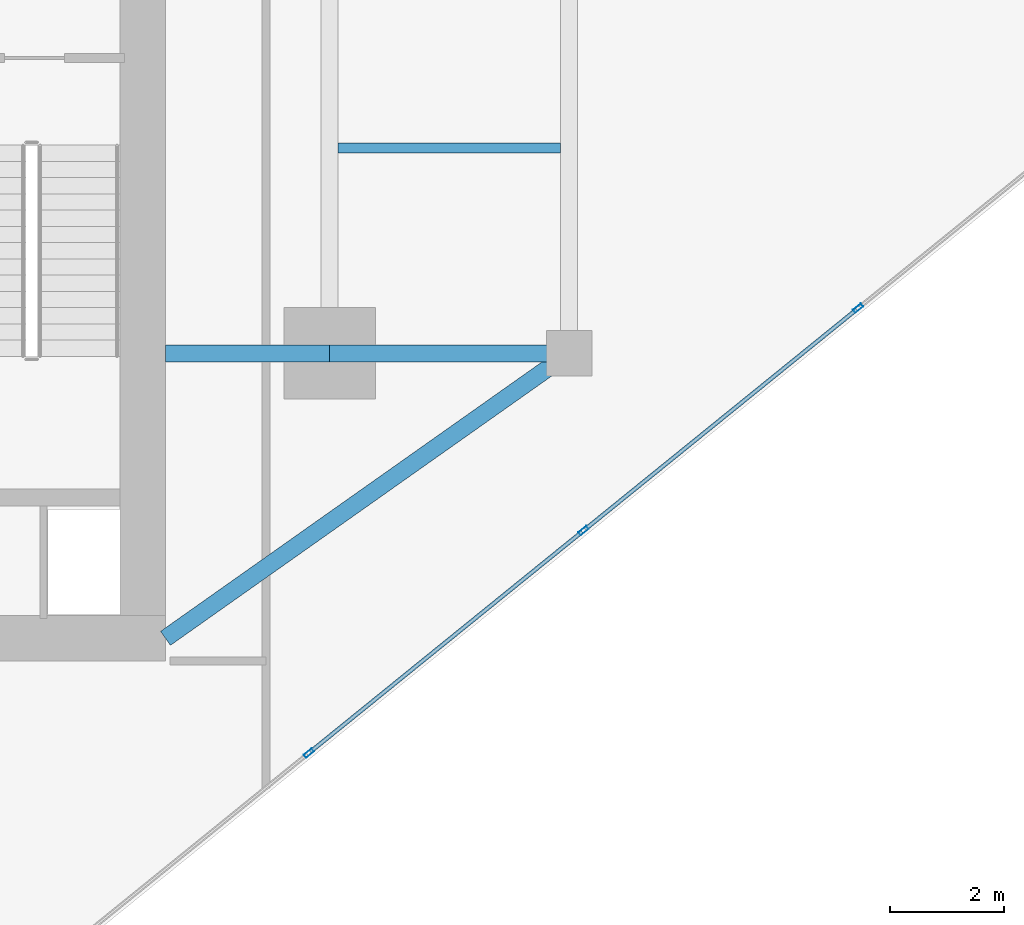
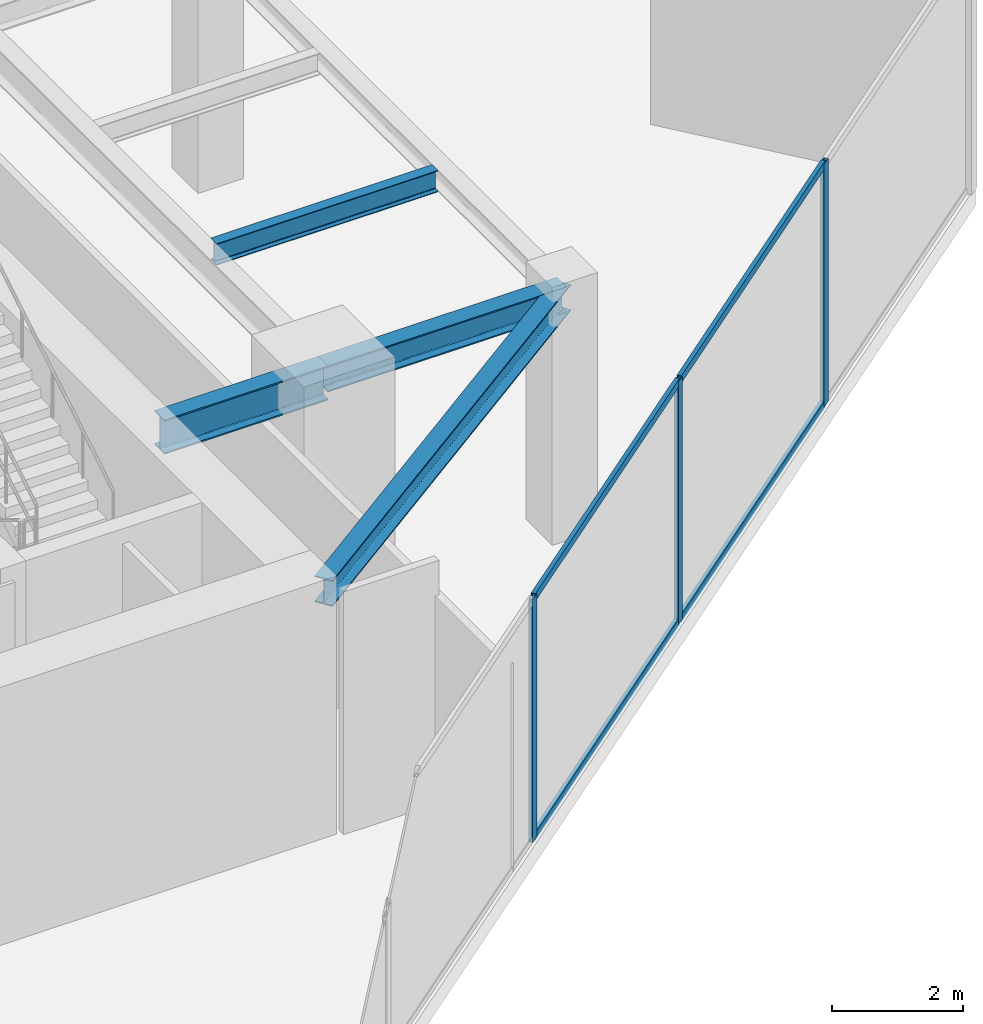
# One storey, part 8 of 22: 7 members, 4 beams, 1 element without a shape of its own.
"""IFC4 building model written with IfcOpenShell, lengths in metres."""

from ifc_helpers import new_model, si_unit, direction, frame, origin, origin_2d, place, context, subcontext, project, spatial, hollow_rectangle, i_section, extrude, source, transform, mapped, material, material_profile, profile_set, type_object, type_shapes, element, aggregate, save


model = new_model("IFC4")

# Units and contexts
model_context = context("Model", 3, precision=1e-05, world=origin(), true_north=direction((0.0, 1.0)))
body_context = subcontext(model_context, "Body", "Model", "MODEL_VIEW")
ifc_project = project(units=[si_unit("LENGTHUNIT", "METRE"), si_unit("AREAUNIT", "SQUARE_METRE"), si_unit("VOLUMEUNIT", "CUBIC_METRE"), si_unit("PLANEANGLEUNIT", "RADIAN"), si_unit("MASSUNIT", "GRAM", prefix="KILO")], contexts=[model_context])

# Site, building, storey
site_placement = place(None, origin())
site = spatial("IfcSite", under=ifc_project, at=site_placement, CompositionType="ELEMENT")
building_placement = place(site_placement, origin())
building = spatial("IfcBuilding", under=site, at=building_placement, Name="Krantzveldt Concourse Tower", CompositionType="ELEMENT")
storey_placement = place(building_placement, frame((0.0, 0.0, 262.60009765625)))
storey = spatial("IfcBuildingStorey", under=building, at=storey_placement, Name="L64", CompositionType="ELEMENT", Elevation=262.60009765625)

# Beams
ifc_material_1 = material(Name="Steel S355JR", Category="steel")
ifc_material_profile_1 = material_profile(ifc_material_1, i_section(OverallWidth=0.300048828125, OverallDepth=0.639892578125, WebThickness=0.013427734375, FlangeThickness=0.02587890625, FilletRadius=0.027099609375, at=origin_2d()), Name="Steel S355JR", Category="steel")
ifc_profile_set_1 = profile_set([ifc_material_profile_1], Name="Steel S355JR - HEA 650")
beam_type_1 = type_object("IfcBeamType", Name="BM-B-HEA650", PredefinedType="BEAM", material=ifc_profile_set_1)
shared_shape_1 = source(origin(), body_context, "Body", "SweptSolid", [
    extrude(i_section(OverallWidth=0.300048828125, OverallDepth=0.639892578125, WebThickness=0.013427734375, FlangeThickness=0.02587890625, FilletRadius=0.027099609375, at=origin_2d()), origin(), (0.0, 0.0, 1.0), 2.880126953125),
])
type_shapes(beam_type_1, [shared_shape_1])
beam_1_placement = place(storey_placement, frame((43.919921875, 15.89990234375, 4.199951171875), z_axis=(1.0, 0.0, 0.0), x_axis=(0.0, 1.0, 0.0)))
element("IfcBeam", 1, at=beam_1_placement, inside=storey, type_object=beam_type_1, Name="L64 Tower Girder BG-CE1", PredefinedType="BEAM", context=body_context, shape_type="MappedRepresentation", body=[
    mapped(shared_shape_1, transform((0.0, 0.0, 0.0), x_axis=(1.0, 0.0, 0.0), y_axis=(0.0, 1.0, 0.0), z_axis=(0.0, 0.0, 1.0), scale=1.0)),
])
ifc_material_profile_2 = material_profile(ifc_material_1, i_section(OverallWidth=0.300048828125, OverallDepth=0.489990234375, WebThickness=0.011962890625, FlangeThickness=0.02294921875, FilletRadius=0.027099609375, at=origin_2d()), Name="Steel S355JR", Category="steel")
ifc_profile_set_2 = profile_set([ifc_material_profile_2], Name="Steel S355JR - HEA 500")
beam_type_2 = type_object("IfcBeamType", Name="BM-B-HEA500", PredefinedType="BEAM", material=ifc_profile_set_2)
shared_shape_2 = source(origin(), body_context, "Body", "SweptSolid", [
    extrude(i_section(OverallWidth=0.300048828125, OverallDepth=0.489990234375, WebThickness=0.011962890625, FlangeThickness=0.02294921875, FilletRadius=0.027099609375, at=origin_2d()), origin(), (0.0, 0.0, 1.0), 4.199951171875),
])
beam_2_placement = place(storey_placement, frame((46.800048828125, 15.89990234375, 4.27490234375), z_axis=(1.0, 0.0, 0.0), x_axis=(0.0, 1.0, 0.0)))
element("IfcBeam", 2, at=beam_2_placement, inside=storey, type_object=beam_type_2, Name="L64 Tower Girder BR-RR1", PredefinedType="BEAM", context=body_context, shape_type="MappedRepresentation", body=[
    mapped(shared_shape_2, transform((0.0, 0.0, 0.0), x_axis=(1.0, 0.0, 0.0), y_axis=(0.0, 1.0, 0.0), z_axis=(0.0, 0.0, 1.0), scale=1.0)),
])
shared_shape_3 = source(origin(), body_context, "Body", "SweptSolid", [
    extrude(i_section(OverallWidth=0.300048828125, OverallDepth=0.489990234375, WebThickness=0.011962890625, FlangeThickness=0.02294921875, FilletRadius=0.027099609375, at=origin_2d()), origin(), (0.0, 0.0, 1.0), 8.667724609375),
])
type_shapes(beam_type_2, [shared_shape_2, shared_shape_3])
beam_3_placement = place(storey_placement, frame((51.0, 15.89990234375, 4.27490234375), z_axis=(-0.81684294656, -0.576860122261, 0.0), x_axis=(0.576860122261, -0.81684294656, 0.0)))
element("IfcBeam", 3, at=beam_3_placement, inside=storey, type_object=beam_type_2, Name="L64 Tower Girder BR-CSE", PredefinedType="BEAM", context=body_context, shape_type="MappedRepresentation", body=[
    mapped(shared_shape_3, transform((0.0, 0.0, 0.0), x_axis=(1.0, 0.0, 0.0), y_axis=(0.0, 1.0, 0.0), z_axis=(0.0, 0.0, 1.0), scale=1.0)),
])
ifc_material_profile_3 = material_profile(ifc_material_1, i_section(OverallWidth=0.179931640625, OverallDepth=0.39990234375, WebThickness=0.008544921875, FlangeThickness=0.013427734375, FilletRadius=0.02099609375, at=origin_2d()), Name="Steel S355JR", Category="steel")
ifc_profile_set_3 = profile_set([ifc_material_profile_3], Name="Steel S355JR - IPE 400")
beam_type_3 = type_object("IfcBeamType", Name="BM-J-IPE400", PredefinedType="JOIST", material=ifc_profile_set_3)
shared_shape_4 = source(origin(), body_context, "Body", "SweptSolid", [
    extrude(i_section(OverallWidth=0.179931640625, OverallDepth=0.39990234375, WebThickness=0.008544921875, FlangeThickness=0.013427734375, FilletRadius=0.02099609375, at=origin_2d()), origin(), (0.0, 0.0, 1.0), 3.900146484375),
])
type_shapes(beam_type_3, [shared_shape_4])
beam_4_placement = place(storey_placement, frame((46.949951171875, 19.5, 4.31982421875), z_axis=(1.0, 0.0, 0.0), x_axis=(0.0, 1.0, 0.0)))
element("IfcBeam", 4, at=beam_4_placement, inside=storey, type_object=beam_type_3, Name="L64 Secondary Floor Joist JE-1", PredefinedType="JOIST", context=body_context, shape_type="MappedRepresentation", body=[
    mapped(shared_shape_4, transform((0.0, 0.0, 0.0), x_axis=(1.0, 0.0, 0.0), y_axis=(0.0, 1.0, 0.0), z_axis=(0.0, 0.0, 1.0), scale=1.0)),
])

# Curtain wall, members
ifc_material_2 = material(Name="Anodised aluminium 6063-T6", Category="aluminium")
curtain_wall_type = type_object("IfcCurtainWallType", Name="CW5", PredefinedType="USERDEFINED", material=ifc_material_2)
curtain_wall_placement = place(storey_placement, origin())
curtain_wall = element("IfcCurtainWall", 5, at=curtain_wall_placement, inside=storey, type_object=curtain_wall_type, Name="CW-L64-F07", ObjectType="UNITISED CURTAIN WALL", PredefinedType="USERDEFINED")
ifc_material_profile_4 = material_profile(ifc_material_2, hollow_rectangle(XDim=0.070068359375, YDim=0.179931640625, WallThickness=0.0048828125, at=origin_2d()), Name="Anodised aluminium 6063-T6", Category="aluminium")
ifc_profile_set_4 = profile_set([ifc_material_profile_4], Name="Anodised aluminium 6063-T6 - ALU-MULL 180x70x5")
member_type_1 = type_object("IfcMemberType", Name="CW-MUL-180", PredefinedType="MULLION", material=ifc_profile_set_4)
shared_shape_5 = source(origin(), body_context, "Body", "SweptSolid", [
    extrude(hollow_rectangle(XDim=0.070068359375, YDim=0.179931640625, WallThickness=0.0048828125, at=origin_2d()), origin(), (0.0, 0.0, 1.0), 4.52001953125),
])
type_shapes(member_type_1, [shared_shape_5])
member_1_placement = place(storey_placement, frame((46.435302734375, 8.887451171875, 0.0), z_axis=(0.0, 0.0, 1.0), x_axis=(-0.629320425502, 0.777145933558, 0.0)))
member_1 = element("IfcMember", 6, at=member_1_placement, type_object=member_type_1, Name="CW-SKY mullion 3", PredefinedType="MULLION", context=body_context, shape_type="MappedRepresentation", body=[
    mapped(shared_shape_5, transform((0.0, 0.0, 0.0), x_axis=(1.0, 0.0, 0.0), y_axis=(0.0, 1.0, 0.0), z_axis=(0.0, 0.0, 1.0), scale=1.0)),
])
member_2_placement = place(storey_placement, frame((51.253662109375, 12.789306640625, 0.0), z_axis=(0.0, 0.0, 1.0), x_axis=(-0.629320425502, 0.777145933558, 0.0)))
member_2 = element("IfcMember", 7, at=member_2_placement, type_object=member_type_1, Name="CW-SKY mullion 4", PredefinedType="MULLION", context=body_context, shape_type="MappedRepresentation", body=[
    mapped(shared_shape_5, transform((0.0, 0.0, 0.0), x_axis=(1.0, 0.0, 0.0), y_axis=(0.0, 1.0, 0.0), z_axis=(0.0, 0.0, 1.0), scale=1.0)),
])
member_3_placement = place(storey_placement, frame((56.07177734375, 16.691162109375, 0.0), z_axis=(0.0, 0.0, 1.0), x_axis=(-0.629320425502, 0.777145933558, 0.0)))
member_3 = element("IfcMember", 8, at=member_3_placement, type_object=member_type_1, Name="CW-SKY mullion 5", PredefinedType="MULLION", context=body_context, shape_type="MappedRepresentation", body=[
    mapped(shared_shape_5, transform((0.0, 0.0, 0.0), x_axis=(1.0, 0.0, 0.0), y_axis=(0.0, 1.0, 0.0), z_axis=(0.0, 0.0, 1.0), scale=1.0)),
])
ifc_material_profile_5 = material_profile(ifc_material_2, hollow_rectangle(XDim=0.070068359375, YDim=0.139892578125, WallThickness=0.0048828125, at=origin_2d()), Name="Anodised aluminium 6063-T6", Category="aluminium")
ifc_profile_set_5 = profile_set([ifc_material_profile_5], Name="Anodised aluminium 6063-T6 - ALU-TRAN 140x70x5")
member_type_2 = type_object("IfcMemberType", Name="CW-TRN-150", PredefinedType="USERDEFINED", material=ifc_profile_set_5)
shared_shape_6 = source(origin(), body_context, "Body", "SweptSolid", [
    extrude(hollow_rectangle(XDim=0.070068359375, YDim=0.139892578125, WallThickness=0.0048828125, at=origin_2d()), origin(), (0.0, 0.0, 1.0), 6.130126953125),
])
member_4_placement = place(storey_placement, frame((51.28076171875, 12.811279296875, 0.034912109375), z_axis=(0.777132635174, 0.629336847282, 0.0), x_axis=(-0.629336847282, 0.777132635174, 0.0)))
member_4 = element("IfcMember", 9, at=member_4_placement, type_object=member_type_2, Name="CW-SKY transom 4.1", ObjectType="TRANSOM", PredefinedType="USERDEFINED", context=body_context, shape_type="MappedRepresentation", body=[
    mapped(shared_shape_6, transform((0.0, 0.0, 0.0), x_axis=(1.0, 0.0, 0.0), y_axis=(0.0, 1.0, 0.0), z_axis=(0.0, 0.0, 1.0), scale=1.0)),
])
member_5_placement = place(storey_placement, frame((51.28076171875, 12.811279296875, 4.48486328125), z_axis=(0.777132635174, 0.629336847282, 0.0), x_axis=(-0.629336847282, 0.777132635174, 0.0)))
member_5 = element("IfcMember", 10, at=member_5_placement, type_object=member_type_2, Name="CW-SKY transom 4.2", ObjectType="TRANSOM", PredefinedType="USERDEFINED", context=body_context, shape_type="MappedRepresentation", body=[
    mapped(shared_shape_6, transform((0.0, 0.0, 0.0), x_axis=(1.0, 0.0, 0.0), y_axis=(0.0, 1.0, 0.0), z_axis=(0.0, 0.0, 1.0), scale=1.0)),
])
shared_shape_7 = source(origin(), body_context, "Body", "SweptSolid", [
    extrude(hollow_rectangle(XDim=0.070068359375, YDim=0.139892578125, WallThickness=0.0048828125, at=origin_2d()), origin(), (0.0, 0.0, 1.0), 6.1298828125),
])
type_shapes(member_type_2, [shared_shape_6, shared_shape_7])
member_6_placement = place(storey_placement, frame((46.46240234375, 8.90966796875, 0.034912109375), z_axis=(0.777152113517, 0.629312793813, 0.0), x_axis=(-0.629312793813, 0.777152113517, 0.0)))
member_6 = element("IfcMember", 11, at=member_6_placement, type_object=member_type_2, Name="CW-SKY transom 3.1", ObjectType="TRANSOM", PredefinedType="USERDEFINED", context=body_context, shape_type="MappedRepresentation", body=[
    mapped(shared_shape_7, transform((0.0, 0.0, 0.0), x_axis=(1.0, 0.0, 0.0), y_axis=(0.0, 1.0, 0.0), z_axis=(0.0, 0.0, 1.0), scale=1.0)),
])
member_7_placement = place(storey_placement, frame((46.46240234375, 8.90966796875, 4.48486328125), z_axis=(0.777152113517, 0.629312793813, 0.0), x_axis=(-0.629312793813, 0.777152113517, 0.0)))
member_7 = element("IfcMember", 12, at=member_7_placement, type_object=member_type_2, Name="CW-SKY transom 3.2", ObjectType="TRANSOM", PredefinedType="USERDEFINED", context=body_context, shape_type="MappedRepresentation", body=[
    mapped(shared_shape_7, transform((0.0, 0.0, 0.0), x_axis=(1.0, 0.0, 0.0), y_axis=(0.0, 1.0, 0.0), z_axis=(0.0, 0.0, 1.0), scale=1.0)),
])
aggregate(curtain_wall, [member_1, member_2, member_3, member_6, member_7, member_4, member_5])

save(model, "model.ifc")
